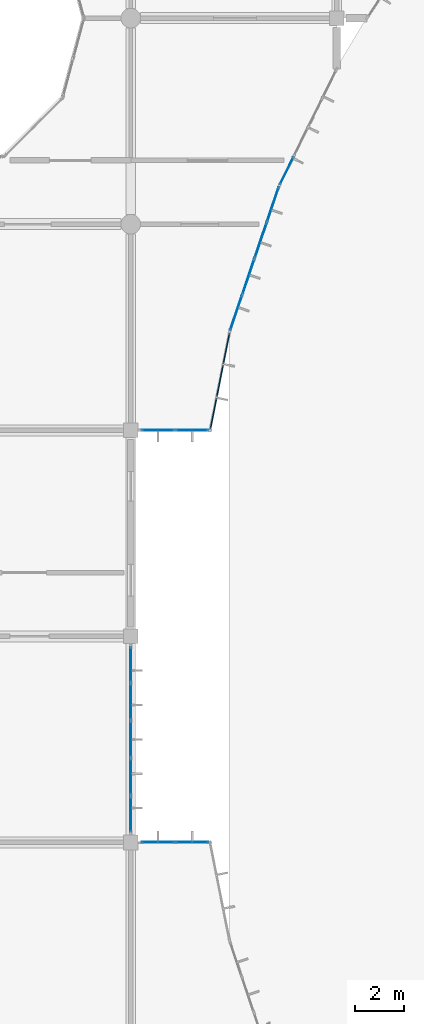
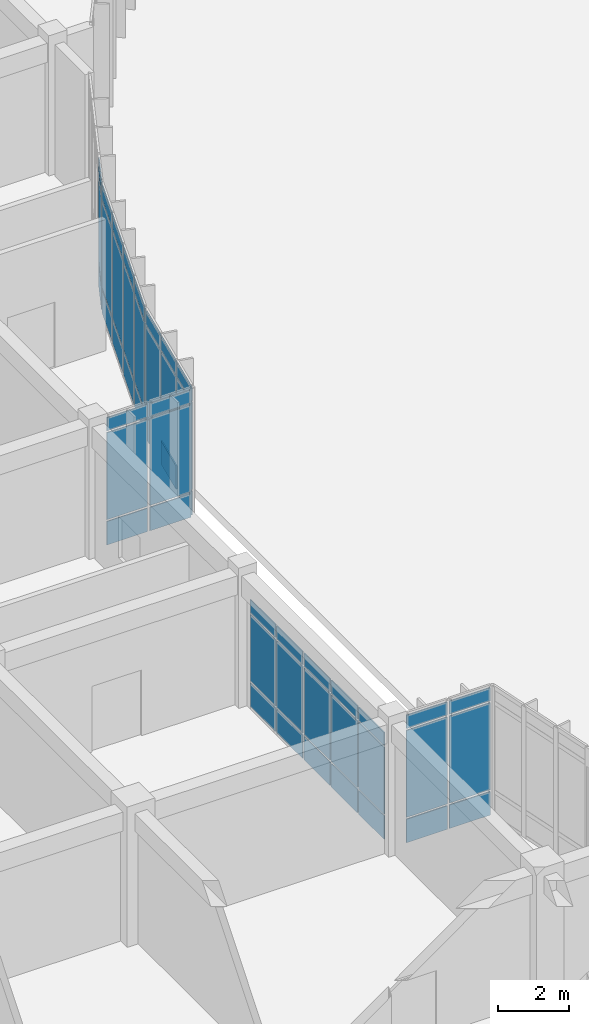
# One storey, part 78 of 138: 51 plates, 6 elements without a shape of their own.
"""IFC4 building model written with IfcOpenShell, lengths in metres."""

from ifc_helpers import new_model, si_unit, direction, frame, origin, origin_2d, place, context, subcontext, project, spatial, rectangle, extrude, material, layer, layer_set, type_object, element, aggregate, save


model = new_model("IFC4")

# Units and contexts
model_context = context("Model", 3, precision=1e-05, world=origin(), true_north=direction((0.0, 1.0)))
body_context = subcontext(model_context, "Body", "Model", "MODEL_VIEW")
ifc_project = project(units=[si_unit("LENGTHUNIT", "METRE"), si_unit("AREAUNIT", "SQUARE_METRE"), si_unit("VOLUMEUNIT", "CUBIC_METRE"), si_unit("PLANEANGLEUNIT", "RADIAN"), si_unit("MASSUNIT", "GRAM", prefix="KILO")], contexts=[model_context])

# Site, building, storey
site_placement = place(None, origin())
site = spatial("IfcSite", under=ifc_project, at=site_placement, CompositionType="ELEMENT")
building_placement = place(site_placement, origin())
building = spatial("IfcBuilding", under=site, at=building_placement, Name="Bramfleet General Hospital", CompositionType="ELEMENT")
storey_placement = place(building_placement, origin())
storey = spatial("IfcBuildingStorey", under=building, at=storey_placement, Name="L00", CompositionType="ELEMENT", Elevation=0.0)

# Curtain wall, plates
ifc_material_1 = material(Name="Anodised aluminium and low-E triple glazing", Category="aluminium")
ifc_layer_1 = layer(ifc_material_1, 0.179931640625, Name="CWT-CW-03")
ifc_layer_set_1 = layer_set([ifc_layer_1], Name="Anodised aluminium and low-E triple glazing")
curtain_wall_type_1 = type_object("IfcCurtainWallType", Name="CWT-CW-03", PredefinedType="USERDEFINED", material=ifc_layer_set_1)
curtain_wall_1_placement = place(storey_placement, origin())
curtain_wall_1 = element("IfcCurtainWall", 1, at=curtain_wall_1_placement, inside=storey, type_object=curtain_wall_type_1, Name="L00 Curtain Wall 21", ObjectType="Unitised curtain wall", PredefinedType="USERDEFINED")
ifc_material_2 = material(Name="Low-E laminated safety glass", Category="glass")
ifc_layer_2 = layer(ifc_material_2, 0.028076171875, Name="CWP-GLZ-1")
ifc_layer_set_2 = layer_set([ifc_layer_2], Name="Low-E laminated safety glass")
plate_type_1 = type_object("IfcPlateType", Name="CWP-GLZ-1", PredefinedType="CURTAIN_PANEL", material=ifc_layer_set_2)
plate_1_placement = place(storey_placement, frame((128.50244140625, 50.39990234375, 0.06494140625), z_axis=(0.0, 0.0, 1.0), x_axis=(-1.0, 0.0, 0.0)))
plate_1 = element("IfcPlate", 2, at=plate_1_placement, type_object=plate_type_1, Name="CW-03 panel 1.1", PredefinedType="CURTAIN_PANEL", context=body_context, shape_type="SweptSolid", body=[
    extrude(rectangle(XDim=1.324951171875, YDim=0.028076171875, at=origin_2d()), origin(), (0.0, 0.0, 1.0), 0.802490234375),
])
plate_2_placement = place(storey_placement, frame((128.50244140625, 50.39990234375, 0.932373046875), z_axis=(0.0, 0.0, 1.0), x_axis=(-1.0, 0.0, 0.0)))
plate_2 = element("IfcPlate", 3, at=plate_2_placement, type_object=plate_type_1, Name="CW-03 panel 1.2", PredefinedType="CURTAIN_PANEL", context=body_context, shape_type="SweptSolid", body=[
    extrude(rectangle(XDim=1.324951171875, YDim=0.028076171875, at=origin_2d()), origin(), (0.0, 0.0, 1.0), 2.97509765625),
])
plate_3_placement = place(storey_placement, frame((128.50244140625, 50.39990234375, 3.97265625), z_axis=(0.0, 0.0, 1.0), x_axis=(-1.0, 0.0, 0.0)))
plate_3 = element("IfcPlate", 4, at=plate_3_placement, type_object=plate_type_1, Name="CW-03 panel 1.3", PredefinedType="CURTAIN_PANEL", context=body_context, shape_type="SweptSolid", body=[
    extrude(rectangle(XDim=1.324951171875, YDim=0.028076171875, at=origin_2d()), origin(), (0.0, 0.0, 1.0), 0.452392578125),
])
plate_4_placement = place(storey_placement, frame((127.107421875, 50.39990234375, 0.06494140625), z_axis=(0.0, 0.0, 1.0), x_axis=(-1.0, 0.0, 0.0)))
plate_4 = element("IfcPlate", 5, at=plate_4_placement, type_object=plate_type_1, Name="CW-03 panel 2.1", PredefinedType="CURTAIN_PANEL", context=body_context, shape_type="SweptSolid", body=[
    extrude(rectangle(XDim=1.324951171875, YDim=0.028076171875, at=origin_2d()), origin(), (0.0, 0.0, 1.0), 0.802490234375),
])
plate_5_placement = place(storey_placement, frame((127.107421875, 50.39990234375, 0.932373046875), z_axis=(0.0, 0.0, 1.0), x_axis=(-1.0, 0.0, 0.0)))
plate_5 = element("IfcPlate", 6, at=plate_5_placement, type_object=plate_type_1, Name="CW-03 panel 2.2", PredefinedType="CURTAIN_PANEL", context=body_context, shape_type="SweptSolid", body=[
    extrude(rectangle(XDim=1.324951171875, YDim=0.028076171875, at=origin_2d()), origin(), (0.0, 0.0, 1.0), 2.97509765625),
])
plate_6_placement = place(storey_placement, frame((127.107421875, 50.39990234375, 3.97265625), z_axis=(0.0, 0.0, 1.0), x_axis=(-1.0, 0.0, 0.0)))
plate_6 = element("IfcPlate", 7, at=plate_6_placement, type_object=plate_type_1, Name="CW-03 panel 2.3", PredefinedType="CURTAIN_PANEL", context=body_context, shape_type="SweptSolid", body=[
    extrude(rectangle(XDim=1.324951171875, YDim=0.028076171875, at=origin_2d()), origin(), (0.0, 0.0, 1.0), 0.452392578125),
])
aggregate(curtain_wall_1, [plate_1, plate_2, plate_3, plate_4, plate_5, plate_6])

ifc_layer_3 = layer(ifc_material_1, 0.179931640625, Name="CWT-CW-18")
ifc_layer_set_3 = layer_set([ifc_layer_3], Name="Anodised aluminium and low-E triple glazing")
curtain_wall_type_2 = type_object("IfcCurtainWallType", Name="CWT-CW-18", PredefinedType="USERDEFINED", material=ifc_layer_set_3)
curtain_wall_2_placement = place(storey_placement, origin())
curtain_wall_2 = element("IfcCurtainWall", 8, at=curtain_wall_2_placement, inside=storey, type_object=curtain_wall_type_2, Name="L00 Curtain Wall 18", ObjectType="Stick curtain wall", PredefinedType="USERDEFINED")
ifc_layer_4 = layer(ifc_material_2, 0.031982421875, Name="CWP-GLZ-2")
ifc_layer_set_4 = layer_set([ifc_layer_4], Name="Low-E laminated safety glass")
plate_type_2 = type_object("IfcPlateType", Name="CWP-GLZ-2", PredefinedType="CURTAIN_PANEL", material=ifc_layer_set_4)
plate_7_placement = place(storey_placement, frame((132.35498046875, 60.979248046875, 0.06494140625), z_axis=(0.0, 0.0, 1.0), x_axis=(-0.442304948782, -0.896864723513, 0.0)))
plate_7 = element("IfcPlate", 9, at=plate_7_placement, type_object=plate_type_2, Name="CW-18 panel 4.1", PredefinedType="CURTAIN_PANEL", context=body_context, shape_type="SweptSolid", body=[
    extrude(rectangle(XDim=1.220947265625, YDim=0.031982421875, at=origin_2d()), origin(), (0.0, 0.0, 1.0), 0.802490234375),
])
plate_8_placement = place(storey_placement, frame((132.35498046875, 60.979248046875, 0.932373046875), z_axis=(0.0, 0.0, 1.0), x_axis=(-0.442304948782, -0.896864723513, 0.0)))
plate_8 = element("IfcPlate", 10, at=plate_8_placement, type_object=plate_type_2, Name="CW-18 panel 4.2", PredefinedType="CURTAIN_PANEL", context=body_context, shape_type="SweptSolid", body=[
    extrude(rectangle(XDim=1.220947265625, YDim=0.031982421875, at=origin_2d()), origin(), (0.0, 0.0, 1.0), 2.97509765625),
])
plate_9_placement = place(storey_placement, frame((132.35498046875, 60.979248046875, 3.97265625), z_axis=(0.0, 0.0, 1.0), x_axis=(-0.442304948782, -0.896864723513, 0.0)))
plate_9 = element("IfcPlate", 11, at=plate_9_placement, type_object=plate_type_2, Name="CW-18 panel 4.3", PredefinedType="CURTAIN_PANEL", context=body_context, shape_type="SweptSolid", body=[
    extrude(rectangle(XDim=1.220947265625, YDim=0.031982421875, at=origin_2d()), origin(), (0.0, 0.0, 1.0), 0.452392578125),
])
aggregate(curtain_wall_2, [plate_7, plate_8, plate_9])

ifc_layer_5 = layer(ifc_material_1, 0.179931640625, Name="CWT-CW-04")
ifc_layer_set_5 = layer_set([ifc_layer_5], Name="Anodised aluminium and low-E triple glazing")
curtain_wall_type_3 = type_object("IfcCurtainWallType", Name="CWT-CW-04", PredefinedType="USERDEFINED", material=ifc_layer_set_5)
curtain_wall_3_placement = place(storey_placement, origin())
curtain_wall_3 = element("IfcCurtainWall", 12, at=curtain_wall_3_placement, inside=storey, type_object=curtain_wall_type_3, Name="L00 Curtain Wall 22", ObjectType="Unitised curtain wall", PredefinedType="USERDEFINED")
plate_10_placement = place(storey_placement, frame((126.0, 40.842529296875, 0.06494140625), z_axis=(0.0, 0.0, 1.0), x_axis=(0.0, -1.0, 0.0)))
plate_10 = element("IfcPlate", 13, at=plate_10_placement, type_object=plate_type_2, Name="CW-04 panel 1.1", PredefinedType="CURTAIN_PANEL", context=body_context, shape_type="SweptSolid", body=[
    extrude(rectangle(XDim=1.425048828125, YDim=0.031982421875, at=origin_2d()), origin(), (0.0, 0.0, 1.0), 0.802490234375),
])
plate_11_placement = place(storey_placement, frame((126.0, 40.842529296875, 0.9326171875), z_axis=(0.0, 0.0, 1.0), x_axis=(0.0, -1.0, 0.0)))
plate_11 = element("IfcPlate", 14, at=plate_11_placement, type_object=plate_type_2, Name="CW-04 panel 1.2", PredefinedType="CURTAIN_PANEL", context=body_context, shape_type="SweptSolid", body=[
    extrude(rectangle(XDim=1.425048828125, YDim=0.031982421875, at=origin_2d()), origin(), (0.0, 0.0, 1.0), 2.27490234375),
])
plate_12_placement = place(storey_placement, frame((126.0, 40.842529296875, 3.2724609375), z_axis=(0.0, 0.0, 1.0), x_axis=(0.0, -1.0, 0.0)))
plate_12 = element("IfcPlate", 15, at=plate_12_placement, type_object=plate_type_2, Name="CW-04 panel 1.3", PredefinedType="CURTAIN_PANEL", context=body_context, shape_type="SweptSolid", body=[
    extrude(rectangle(XDim=1.425048828125, YDim=0.031982421875, at=origin_2d()), origin(), (0.0, 0.0, 1.0), 0.452392578125),
])
plate_13_placement = place(storey_placement, frame((126.0, 39.330078125, 0.06494140625), z_axis=(0.0, 0.0, 1.0), x_axis=(0.0, -1.0, 0.0)))
plate_13 = element("IfcPlate", 16, at=plate_13_placement, type_object=plate_type_2, Name="CW-04 panel 2.1", PredefinedType="CURTAIN_PANEL", context=body_context, shape_type="SweptSolid", body=[
    extrude(rectangle(XDim=1.4599609375, YDim=0.031982421875, at=origin_2d()), origin(), (0.0, 0.0, 1.0), 0.802490234375),
])
plate_14_placement = place(storey_placement, frame((126.0, 39.330078125, 0.9326171875), z_axis=(0.0, 0.0, 1.0), x_axis=(0.0, -1.0, 0.0)))
plate_14 = element("IfcPlate", 17, at=plate_14_placement, type_object=plate_type_2, Name="CW-04 panel 2.2", PredefinedType="CURTAIN_PANEL", context=body_context, shape_type="SweptSolid", body=[
    extrude(rectangle(XDim=1.4599609375, YDim=0.031982421875, at=origin_2d()), origin(), (0.0, 0.0, 1.0), 2.27490234375),
])
plate_15_placement = place(storey_placement, frame((126.0, 39.330078125, 3.2724609375), z_axis=(0.0, 0.0, 1.0), x_axis=(0.0, -1.0, 0.0)))
plate_15 = element("IfcPlate", 18, at=plate_15_placement, type_object=plate_type_2, Name="CW-04 panel 2.3", PredefinedType="CURTAIN_PANEL", context=body_context, shape_type="SweptSolid", body=[
    extrude(rectangle(XDim=1.4599609375, YDim=0.031982421875, at=origin_2d()), origin(), (0.0, 0.0, 1.0), 0.452392578125),
])
plate_16_placement = place(storey_placement, frame((126.0, 37.800048828125, 0.06494140625), z_axis=(0.0, 0.0, 1.0), x_axis=(0.0, -1.0, 0.0)))
plate_16 = element("IfcPlate", 19, at=plate_16_placement, type_object=plate_type_2, Name="CW-04 panel 3.1", PredefinedType="CURTAIN_PANEL", context=body_context, shape_type="SweptSolid", body=[
    extrude(rectangle(XDim=1.4599609375, YDim=0.031982421875, at=origin_2d()), origin(), (0.0, 0.0, 1.0), 0.802490234375),
])
plate_17_placement = place(storey_placement, frame((126.0, 37.800048828125, 0.9326171875), z_axis=(0.0, 0.0, 1.0), x_axis=(0.0, -1.0, 0.0)))
plate_17 = element("IfcPlate", 20, at=plate_17_placement, type_object=plate_type_2, Name="CW-04 panel 3.2", PredefinedType="CURTAIN_PANEL", context=body_context, shape_type="SweptSolid", body=[
    extrude(rectangle(XDim=1.4599609375, YDim=0.031982421875, at=origin_2d()), origin(), (0.0, 0.0, 1.0), 2.27490234375),
])
plate_18_placement = place(storey_placement, frame((126.0, 37.800048828125, 3.2724609375), z_axis=(0.0, 0.0, 1.0), x_axis=(0.0, -1.0, 0.0)))
plate_18 = element("IfcPlate", 21, at=plate_18_placement, type_object=plate_type_2, Name="CW-04 panel 3.3", PredefinedType="CURTAIN_PANEL", context=body_context, shape_type="SweptSolid", body=[
    extrude(rectangle(XDim=1.4599609375, YDim=0.031982421875, at=origin_2d()), origin(), (0.0, 0.0, 1.0), 0.452392578125),
])
plate_19_placement = place(storey_placement, frame((126.0, 36.27001953125, 0.06494140625), z_axis=(0.0, 0.0, 1.0), x_axis=(0.0, -1.0, 0.0)))
plate_19 = element("IfcPlate", 22, at=plate_19_placement, type_object=plate_type_2, Name="CW-04 panel 4.1", PredefinedType="CURTAIN_PANEL", context=body_context, shape_type="SweptSolid", body=[
    extrude(rectangle(XDim=1.4599609375, YDim=0.031982421875, at=origin_2d()), origin(), (0.0, 0.0, 1.0), 0.802490234375),
])
plate_20_placement = place(storey_placement, frame((126.0, 36.27001953125, 0.9326171875), z_axis=(0.0, 0.0, 1.0), x_axis=(0.0, -1.0, 0.0)))
plate_20 = element("IfcPlate", 23, at=plate_20_placement, type_object=plate_type_2, Name="CW-04 panel 4.2", PredefinedType="CURTAIN_PANEL", context=body_context, shape_type="SweptSolid", body=[
    extrude(rectangle(XDim=1.4599609375, YDim=0.031982421875, at=origin_2d()), origin(), (0.0, 0.0, 1.0), 2.27490234375),
])
plate_21_placement = place(storey_placement, frame((126.0, 36.27001953125, 3.2724609375), z_axis=(0.0, 0.0, 1.0), x_axis=(0.0, -1.0, 0.0)))
plate_21 = element("IfcPlate", 24, at=plate_21_placement, type_object=plate_type_2, Name="CW-04 panel 4.3", PredefinedType="CURTAIN_PANEL", context=body_context, shape_type="SweptSolid", body=[
    extrude(rectangle(XDim=1.4599609375, YDim=0.031982421875, at=origin_2d()), origin(), (0.0, 0.0, 1.0), 0.452392578125),
])
plate_22_placement = place(storey_placement, frame((126.0, 34.757568359375, 0.06494140625), z_axis=(0.0, 0.0, 1.0), x_axis=(0.0, -1.0, 0.0)))
plate_22 = element("IfcPlate", 25, at=plate_22_placement, type_object=plate_type_2, Name="CW-04 panel 5.1", PredefinedType="CURTAIN_PANEL", context=body_context, shape_type="SweptSolid", body=[
    extrude(rectangle(XDim=1.425048828125, YDim=0.031982421875, at=origin_2d()), origin(), (0.0, 0.0, 1.0), 0.802490234375),
])
plate_23_placement = place(storey_placement, frame((126.0, 34.757568359375, 0.9326171875), z_axis=(0.0, 0.0, 1.0), x_axis=(0.0, -1.0, 0.0)))
plate_23 = element("IfcPlate", 26, at=plate_23_placement, type_object=plate_type_2, Name="CW-04 panel 5.2", PredefinedType="CURTAIN_PANEL", context=body_context, shape_type="SweptSolid", body=[
    extrude(rectangle(XDim=1.425048828125, YDim=0.031982421875, at=origin_2d()), origin(), (0.0, 0.0, 1.0), 2.27490234375),
])
plate_24_placement = place(storey_placement, frame((126.0, 34.757568359375, 3.2724609375), z_axis=(0.0, 0.0, 1.0), x_axis=(0.0, -1.0, 0.0)))
plate_24 = element("IfcPlate", 27, at=plate_24_placement, type_object=plate_type_2, Name="CW-04 panel 5.3", PredefinedType="CURTAIN_PANEL", context=body_context, shape_type="SweptSolid", body=[
    extrude(rectangle(XDim=1.425048828125, YDim=0.031982421875, at=origin_2d()), origin(), (0.0, 0.0, 1.0), 0.452392578125),
])
aggregate(curtain_wall_3, [plate_10, plate_11, plate_12, plate_13, plate_14, plate_15, plate_16, plate_17, plate_18, plate_19, plate_20, plate_21, plate_22, plate_23, plate_24])

ifc_layer_6 = layer(ifc_material_1, 0.179931640625, Name="CWT-CW-01")
ifc_layer_set_6 = layer_set([ifc_layer_6], Name="Anodised aluminium and low-E triple glazing")
curtain_wall_type_4 = type_object("IfcCurtainWallType", Name="CWT-CW-01", PredefinedType="USERDEFINED", material=ifc_layer_set_6)
curtain_wall_4_placement = place(storey_placement, origin())
curtain_wall_4 = element("IfcCurtainWall", 28, at=curtain_wall_4_placement, inside=storey, type_object=curtain_wall_type_4, Name="L00 Curtain Wall 19", ObjectType="Unitised curtain wall", PredefinedType="USERDEFINED")
ifc_layer_7 = layer(ifc_material_2, 0.035888671875, Name="CWP-GLZ-3")
ifc_layer_set_7 = layer_set([ifc_layer_7], Name="Low-E laminated safety glass")
plate_type_3 = type_object("IfcPlateType", Name="CWP-GLZ-3", PredefinedType="CURTAIN_PANEL", material=ifc_layer_set_7)
plate_25_placement = place(storey_placement, frame((131.796142578125, 59.609130859375, 0.06494140625), z_axis=(0.0, 0.0, 1.0), x_axis=(-0.321383054181, -0.946949276617, 0.0)))
plate_25 = element("IfcPlate", 29, at=plate_25_placement, type_object=plate_type_3, Name="CW-01 panel 1.1", PredefinedType="CURTAIN_PANEL", context=body_context, shape_type="SweptSolid", body=[
    extrude(rectangle(XDim=1.46484375, YDim=0.035888671875, at=origin_2d()), origin(), (0.0, 0.0, 1.0), 0.802490234375),
])
plate_26_placement = place(storey_placement, frame((131.796142578125, 59.609130859375, 0.932373046875), z_axis=(0.0, 0.0, 1.0), x_axis=(-0.321383054181, -0.946949276617, 0.0)))
plate_26 = element("IfcPlate", 30, at=plate_26_placement, type_object=plate_type_3, Name="CW-01 panel 1.2", PredefinedType="CURTAIN_PANEL", context=body_context, shape_type="SweptSolid", body=[
    extrude(rectangle(XDim=1.46484375, YDim=0.035888671875, at=origin_2d()), origin(), (0.0, 0.0, 1.0), 2.97509765625),
])
plate_27_placement = place(storey_placement, frame((131.796142578125, 59.609130859375, 3.97265625), z_axis=(0.0, 0.0, 1.0), x_axis=(-0.321383054181, -0.946949276617, 0.0)))
plate_27 = element("IfcPlate", 31, at=plate_27_placement, type_object=plate_type_3, Name="CW-01 panel 1.3", PredefinedType="CURTAIN_PANEL", context=body_context, shape_type="SweptSolid", body=[
    extrude(rectangle(XDim=1.46484375, YDim=0.035888671875, at=origin_2d()), origin(), (0.0, 0.0, 1.0), 0.452392578125),
])
plate_28_placement = place(storey_placement, frame((131.29736328125, 58.13916015625, 0.06494140625), z_axis=(0.0, 0.0, 1.0), x_axis=(-0.321383054181, -0.946949276617, 0.0)))
plate_28 = element("IfcPlate", 32, at=plate_28_placement, type_object=plate_type_3, Name="CW-01 panel 2.1", PredefinedType="CURTAIN_PANEL", context=body_context, shape_type="SweptSolid", body=[
    extrude(rectangle(XDim=1.499755859375, YDim=0.035888671875, at=origin_2d()), origin(), (0.0, 0.0, 1.0), 0.802490234375),
])
plate_29_placement = place(storey_placement, frame((131.29736328125, 58.13916015625, 0.932373046875), z_axis=(0.0, 0.0, 1.0), x_axis=(-0.321383054181, -0.946949276617, 0.0)))
plate_29 = element("IfcPlate", 33, at=plate_29_placement, type_object=plate_type_3, Name="CW-01 panel 2.2", PredefinedType="CURTAIN_PANEL", context=body_context, shape_type="SweptSolid", body=[
    extrude(rectangle(XDim=1.499755859375, YDim=0.035888671875, at=origin_2d()), origin(), (0.0, 0.0, 1.0), 2.97509765625),
])
plate_30_placement = place(storey_placement, frame((131.29736328125, 58.13916015625, 3.97265625), z_axis=(0.0, 0.0, 1.0), x_axis=(-0.321383054181, -0.946949276617, 0.0)))
plate_30 = element("IfcPlate", 34, at=plate_30_placement, type_object=plate_type_3, Name="CW-01 panel 2.3", PredefinedType="CURTAIN_PANEL", context=body_context, shape_type="SweptSolid", body=[
    extrude(rectangle(XDim=1.499755859375, YDim=0.035888671875, at=origin_2d()), origin(), (0.0, 0.0, 1.0), 0.452392578125),
])
plate_31_placement = place(storey_placement, frame((130.792724609375, 56.65283203125, 0.06494140625), z_axis=(0.0, 0.0, 1.0), x_axis=(-0.321383054181, -0.946949276617, 0.0)))
plate_31 = element("IfcPlate", 35, at=plate_31_placement, type_object=plate_type_3, Name="CW-01 panel 3.1", PredefinedType="CURTAIN_PANEL", context=body_context, shape_type="SweptSolid", body=[
    extrude(rectangle(XDim=1.499755859375, YDim=0.035888671875, at=origin_2d()), origin(), (0.0, 0.0, 1.0), 0.802490234375),
])
plate_32_placement = place(storey_placement, frame((130.792724609375, 56.65283203125, 0.932373046875), z_axis=(0.0, 0.0, 1.0), x_axis=(-0.321383054181, -0.946949276617, 0.0)))
plate_32 = element("IfcPlate", 36, at=plate_32_placement, type_object=plate_type_3, Name="CW-01 panel 3.2", PredefinedType="CURTAIN_PANEL", context=body_context, shape_type="SweptSolid", body=[
    extrude(rectangle(XDim=1.499755859375, YDim=0.035888671875, at=origin_2d()), origin(), (0.0, 0.0, 1.0), 2.97509765625),
])
plate_33_placement = place(storey_placement, frame((130.792724609375, 56.65283203125, 3.97265625), z_axis=(0.0, 0.0, 1.0), x_axis=(-0.321383054181, -0.946949276617, 0.0)))
plate_33 = element("IfcPlate", 37, at=plate_33_placement, type_object=plate_type_3, Name="CW-01 panel 3.3", PredefinedType="CURTAIN_PANEL", context=body_context, shape_type="SweptSolid", body=[
    extrude(rectangle(XDim=1.499755859375, YDim=0.035888671875, at=origin_2d()), origin(), (0.0, 0.0, 1.0), 0.452392578125),
])
plate_34_placement = place(storey_placement, frame((130.2939453125, 55.182861328125, 0.06494140625), z_axis=(0.0, 0.0, 1.0), x_axis=(-0.321383054181, -0.946949276617, 0.0)))
plate_34 = element("IfcPlate", 38, at=plate_34_placement, type_object=plate_type_3, Name="CW-01 panel 4.1", PredefinedType="CURTAIN_PANEL", context=body_context, shape_type="SweptSolid", body=[
    extrude(rectangle(XDim=1.46484375, YDim=0.035888671875, at=origin_2d()), origin(), (0.0, 0.0, 1.0), 0.802490234375),
])
plate_35_placement = place(storey_placement, frame((130.2939453125, 55.182861328125, 0.932373046875), z_axis=(0.0, 0.0, 1.0), x_axis=(-0.321383054181, -0.946949276617, 0.0)))
plate_35 = element("IfcPlate", 39, at=plate_35_placement, type_object=plate_type_3, Name="CW-01 panel 4.2", PredefinedType="CURTAIN_PANEL", context=body_context, shape_type="SweptSolid", body=[
    extrude(rectangle(XDim=1.46484375, YDim=0.035888671875, at=origin_2d()), origin(), (0.0, 0.0, 1.0), 2.97509765625),
])
plate_36_placement = place(storey_placement, frame((130.2939453125, 55.182861328125, 3.97265625), z_axis=(0.0, 0.0, 1.0), x_axis=(-0.321383054181, -0.946949276617, 0.0)))
plate_36 = element("IfcPlate", 40, at=plate_36_placement, type_object=plate_type_3, Name="CW-01 panel 4.3", PredefinedType="CURTAIN_PANEL", context=body_context, shape_type="SweptSolid", body=[
    extrude(rectangle(XDim=1.46484375, YDim=0.035888671875, at=origin_2d()), origin(), (0.0, 0.0, 1.0), 0.452392578125),
])
aggregate(curtain_wall_4, [plate_25, plate_26, plate_27, plate_28, plate_29, plate_30, plate_31, plate_32, plate_33, plate_34, plate_35, plate_36])

ifc_layer_8 = layer(ifc_material_1, 0.179931640625, Name="CWT-CW-05")
ifc_layer_set_8 = layer_set([ifc_layer_8], Name="Anodised aluminium and low-E triple glazing")
curtain_wall_type_5 = type_object("IfcCurtainWallType", Name="CWT-CW-05", PredefinedType="USERDEFINED", material=ifc_layer_set_8)
curtain_wall_5_placement = place(storey_placement, origin())
curtain_wall_5 = element("IfcCurtainWall", 41, at=curtain_wall_5_placement, inside=storey, type_object=curtain_wall_type_5, Name="L00 Curtain Wall 23", ObjectType="Unitised curtain wall", PredefinedType="USERDEFINED")
plate_37_placement = place(storey_placement, frame((127.107421875, 33.60009765625, 0.06494140625), z_axis=(0.0, 0.0, 1.0), x_axis=(1.0, 0.0, 0.0)))
plate_37 = element("IfcPlate", 42, at=plate_37_placement, type_object=plate_type_3, Name="CW-05 panel 1.1", PredefinedType="CURTAIN_PANEL", context=body_context, shape_type="SweptSolid", body=[
    extrude(rectangle(XDim=1.324951171875, YDim=0.035888671875, at=origin_2d()), origin(), (0.0, 0.0, 1.0), 0.802490234375),
])
plate_38_placement = place(storey_placement, frame((127.107421875, 33.60009765625, 0.932373046875), z_axis=(0.0, 0.0, 1.0), x_axis=(1.0, 0.0, 0.0)))
plate_38 = element("IfcPlate", 43, at=plate_38_placement, type_object=plate_type_3, Name="CW-05 panel 1.2", PredefinedType="CURTAIN_PANEL", context=body_context, shape_type="SweptSolid", body=[
    extrude(rectangle(XDim=1.324951171875, YDim=0.035888671875, at=origin_2d()), origin(), (0.0, 0.0, 1.0), 2.97509765625),
])
plate_39_placement = place(storey_placement, frame((127.107421875, 33.60009765625, 3.97265625), z_axis=(0.0, 0.0, 1.0), x_axis=(1.0, 0.0, 0.0)))
plate_39 = element("IfcPlate", 44, at=plate_39_placement, type_object=plate_type_3, Name="CW-05 panel 1.3", PredefinedType="CURTAIN_PANEL", context=body_context, shape_type="SweptSolid", body=[
    extrude(rectangle(XDim=1.324951171875, YDim=0.035888671875, at=origin_2d()), origin(), (0.0, 0.0, 1.0), 0.452392578125),
])
plate_40_placement = place(storey_placement, frame((128.50244140625, 33.60009765625, 0.06494140625), z_axis=(0.0, 0.0, 1.0), x_axis=(1.0, 0.0, 0.0)))
plate_40 = element("IfcPlate", 45, at=plate_40_placement, type_object=plate_type_3, Name="CW-05 panel 2.1", PredefinedType="CURTAIN_PANEL", context=body_context, shape_type="SweptSolid", body=[
    extrude(rectangle(XDim=1.324951171875, YDim=0.035888671875, at=origin_2d()), origin(), (0.0, 0.0, 1.0), 0.802490234375),
])
plate_41_placement = place(storey_placement, frame((128.50244140625, 33.60009765625, 0.932373046875), z_axis=(0.0, 0.0, 1.0), x_axis=(1.0, 0.0, 0.0)))
plate_41 = element("IfcPlate", 46, at=plate_41_placement, type_object=plate_type_3, Name="CW-05 panel 2.2", PredefinedType="CURTAIN_PANEL", context=body_context, shape_type="SweptSolid", body=[
    extrude(rectangle(XDim=1.324951171875, YDim=0.035888671875, at=origin_2d()), origin(), (0.0, 0.0, 1.0), 2.97509765625),
])
plate_42_placement = place(storey_placement, frame((128.50244140625, 33.60009765625, 3.97265625), z_axis=(0.0, 0.0, 1.0), x_axis=(1.0, 0.0, 0.0)))
plate_42 = element("IfcPlate", 47, at=plate_42_placement, type_object=plate_type_3, Name="CW-05 panel 2.3", PredefinedType="CURTAIN_PANEL", context=body_context, shape_type="SweptSolid", body=[
    extrude(rectangle(XDim=1.324951171875, YDim=0.035888671875, at=origin_2d()), origin(), (0.0, 0.0, 1.0), 0.452392578125),
])
aggregate(curtain_wall_5, [plate_37, plate_38, plate_39, plate_40, plate_41, plate_42])

ifc_layer_9 = layer(ifc_material_1, 0.179931640625, Name="CWT-CW-02")
ifc_layer_set_9 = layer_set([ifc_layer_9], Name="Anodised aluminium and low-E triple glazing")
curtain_wall_type_6 = type_object("IfcCurtainWallType", Name="CWT-CW-02", PredefinedType="USERDEFINED", material=ifc_layer_set_9)
curtain_wall_6_placement = place(storey_placement, origin())
curtain_wall_6 = element("IfcCurtainWall", 48, at=curtain_wall_6_placement, inside=storey, type_object=curtain_wall_type_6, Name="L00 Curtain Wall 20", ObjectType="Unitised curtain wall", PredefinedType="USERDEFINED")
ifc_layer_10 = layer(ifc_material_2, 0.0419921875, Name="CWP-GLZ-4")
ifc_layer_set_10 = layer_set([ifc_layer_10], Name="Low-E laminated safety glass")
plate_type_4 = type_object("IfcPlateType", Name="CWP-GLZ-4", PredefinedType="CURTAIN_PANEL", material=ifc_layer_set_10)
plate_43_placement = place(storey_placement, frame((129.899169921875, 53.7353515625, 0.06494140625), z_axis=(0.0, 0.0, 1.0), x_axis=(-0.195272189606, -0.980749087161, 0.0)))
plate_43 = element("IfcPlate", 49, at=plate_43_placement, type_object=plate_type_4, Name="CW-02 panel 1.1", PredefinedType="CURTAIN_PANEL", context=body_context, shape_type="SweptSolid", body=[
    extrude(rectangle(XDim=1.26220703125, YDim=0.0419921875, at=origin_2d()), origin(), (0.0, 0.0, 1.0), 0.802490234375),
])
plate_44_placement = place(storey_placement, frame((129.899169921875, 53.7353515625, 0.932373046875), z_axis=(0.0, 0.0, 1.0), x_axis=(-0.195272189606, -0.980749087161, 0.0)))
plate_44 = element("IfcPlate", 50, at=plate_44_placement, type_object=plate_type_4, Name="CW-02 panel 1.2", PredefinedType="CURTAIN_PANEL", context=body_context, shape_type="SweptSolid", body=[
    extrude(rectangle(XDim=1.26220703125, YDim=0.0419921875, at=origin_2d()), origin(), (0.0, 0.0, 1.0), 2.97509765625),
])
plate_45_placement = place(storey_placement, frame((129.899169921875, 53.7353515625, 3.97265625), z_axis=(0.0, 0.0, 1.0), x_axis=(-0.195272189606, -0.980749087161, 0.0)))
plate_45 = element("IfcPlate", 51, at=plate_45_placement, type_object=plate_type_4, Name="CW-02 panel 1.3", PredefinedType="CURTAIN_PANEL", context=body_context, shape_type="SweptSolid", body=[
    extrude(rectangle(XDim=1.26220703125, YDim=0.0419921875, at=origin_2d()), origin(), (0.0, 0.0, 1.0), 0.452392578125),
])
plate_46_placement = place(storey_placement, frame((129.635498046875, 52.41162109375, 0.06494140625), z_axis=(0.0, 0.0, 1.0), x_axis=(-0.195272189606, -0.980749087161, 0.0)))
plate_46 = element("IfcPlate", 52, at=plate_46_placement, type_object=plate_type_4, Name="CW-02 panel 2.1", PredefinedType="CURTAIN_PANEL", context=body_context, shape_type="SweptSolid", body=[
    extrude(rectangle(XDim=1.29736328125, YDim=0.0419921875, at=origin_2d()), origin(), (0.0, 0.0, 1.0), 0.802490234375),
])
plate_47_placement = place(storey_placement, frame((129.635498046875, 52.41162109375, 0.932373046875), z_axis=(0.0, 0.0, 1.0), x_axis=(-0.195272189606, -0.980749087161, 0.0)))
plate_47 = element("IfcPlate", 53, at=plate_47_placement, type_object=plate_type_4, Name="CW-02 panel 2.2", PredefinedType="CURTAIN_PANEL", context=body_context, shape_type="SweptSolid", body=[
    extrude(rectangle(XDim=1.29736328125, YDim=0.0419921875, at=origin_2d()), origin(), (0.0, 0.0, 1.0), 2.97509765625),
])
plate_48_placement = place(storey_placement, frame((129.635498046875, 52.41162109375, 3.97265625), z_axis=(0.0, 0.0, 1.0), x_axis=(-0.195272189606, -0.980749087161, 0.0)))
plate_48 = element("IfcPlate", 54, at=plate_48_placement, type_object=plate_type_4, Name="CW-02 panel 2.3", PredefinedType="CURTAIN_PANEL", context=body_context, shape_type="SweptSolid", body=[
    extrude(rectangle(XDim=1.29736328125, YDim=0.0419921875, at=origin_2d()), origin(), (0.0, 0.0, 1.0), 0.452392578125),
])
plate_49_placement = place(storey_placement, frame((129.371826171875, 51.087646484375, 0.06494140625), z_axis=(0.0, 0.0, 1.0), x_axis=(-0.195272189606, -0.980749087161, 0.0)))
plate_49 = element("IfcPlate", 55, at=plate_49_placement, type_object=plate_type_4, Name="CW-02 panel 3.1", PredefinedType="CURTAIN_PANEL", context=body_context, shape_type="SweptSolid", body=[
    extrude(rectangle(XDim=1.26220703125, YDim=0.0419921875, at=origin_2d()), origin(), (0.0, 0.0, 1.0), 0.802490234375),
])
plate_50_placement = place(storey_placement, frame((129.371826171875, 51.087646484375, 0.932373046875), z_axis=(0.0, 0.0, 1.0), x_axis=(-0.195272189606, -0.980749087161, 0.0)))
plate_50 = element("IfcPlate", 56, at=plate_50_placement, type_object=plate_type_4, Name="CW-02 panel 3.2", PredefinedType="CURTAIN_PANEL", context=body_context, shape_type="SweptSolid", body=[
    extrude(rectangle(XDim=1.26220703125, YDim=0.0419921875, at=origin_2d()), origin(), (0.0, 0.0, 1.0), 2.97509765625),
])
plate_51_placement = place(storey_placement, frame((129.371826171875, 51.087646484375, 3.97265625), z_axis=(0.0, 0.0, 1.0), x_axis=(-0.195272189606, -0.980749087161, 0.0)))
plate_51 = element("IfcPlate", 57, at=plate_51_placement, type_object=plate_type_4, Name="CW-02 panel 3.3", PredefinedType="CURTAIN_PANEL", context=body_context, shape_type="SweptSolid", body=[
    extrude(rectangle(XDim=1.26220703125, YDim=0.0419921875, at=origin_2d()), origin(), (0.0, 0.0, 1.0), 0.452392578125),
])
aggregate(curtain_wall_6, [plate_43, plate_44, plate_45, plate_46, plate_47, plate_48, plate_49, plate_50, plate_51])

save(model, "model.ifc")
